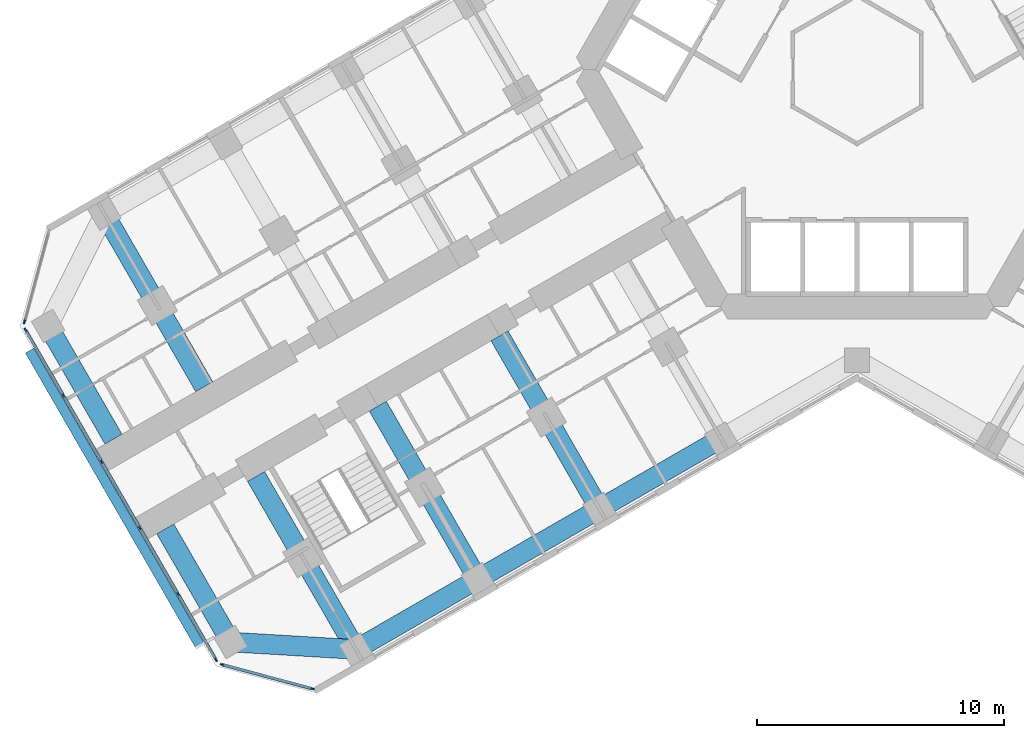
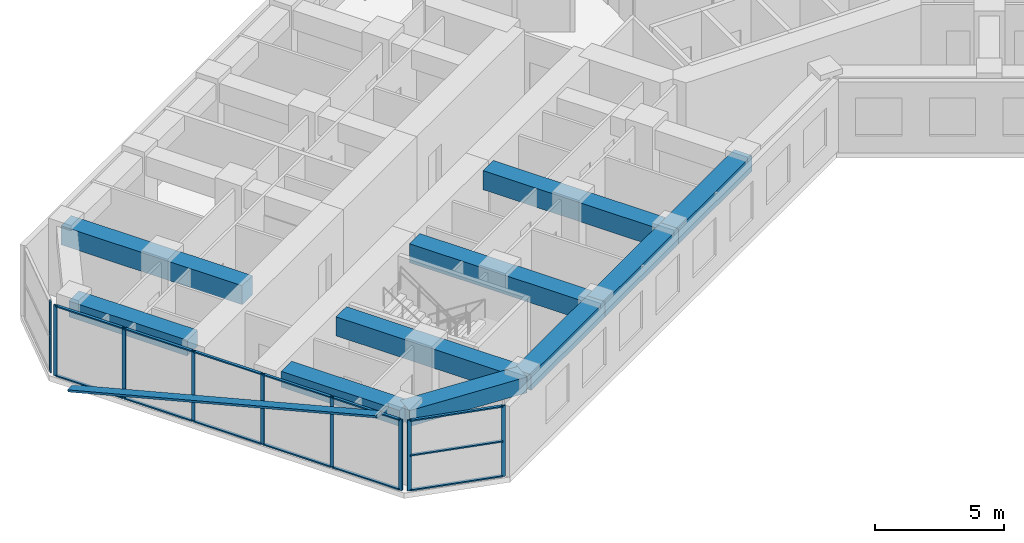
# One storey, part 2 of 21: 23 members, 10 beams, 3 elements without a shape of their own.
"""IFC4 building model written with IfcOpenShell, lengths in metres."""

from ifc_helpers import new_model, si_unit, direction, frame, origin, origin_2d, place, context, subcontext, project, spatial, rectangle, extrude, material, material_profile, profile_set, type_object, element, aggregate, save


model = new_model("IFC4")

# Units and contexts
model_context = context("Model", 3, precision=1e-05, world=origin(), true_north=direction((0.0, 1.0)))
body_context = subcontext(model_context, "Body", "Model", "MODEL_VIEW")
ifc_project = project(units=[si_unit("LENGTHUNIT", "METRE"), si_unit("AREAUNIT", "SQUARE_METRE"), si_unit("VOLUMEUNIT", "CUBIC_METRE"), si_unit("PLANEANGLEUNIT", "RADIAN"), si_unit("MASSUNIT", "GRAM", prefix="KILO")], contexts=[model_context])

# Site, building, storey
site_placement = place(None, origin())
site = spatial("IfcSite", under=ifc_project, at=site_placement, CompositionType="ELEMENT")
building_placement = place(site_placement, origin())
building = spatial("IfcBuilding", under=site, at=building_placement, Name="Kosmar Iwan School Tower", CompositionType="ELEMENT")
storey_placement = place(building_placement, frame((0.0, 0.0, 68.199951171875)))
storey = spatial("IfcBuildingStorey", under=building, at=storey_placement, Name="L16", CompositionType="ELEMENT", Elevation=68.199951171875)

# Member
ifc_material_1 = material(Name="Black anodised aluminium", Category="aluminium")
ifc_material_profile_1 = material_profile(ifc_material_1, rectangle(XDim=0.10009765625, YDim=0.39990234375, at=origin_2d()), Name="FIN 100x400")
ifc_profile_set_1 = profile_set([ifc_material_profile_1], Name="Black anodised aluminium")
member_type_1 = type_object("IfcMemberType", Name="Diagonal fin 100x400", PredefinedType="USERDEFINED", material=ifc_profile_set_1)
member_1_placement = place(storey_placement, frame((-33.54345703125, -11.40087890625, -0.14990234375), z_axis=(0.483795538458, -0.837973939202, 0.252470897702), x_axis=(-0.126233699175, 0.218647221293, 0.967604488318)))
element("IfcMember", 1, at=member_1_placement, inside=storey, type_object=member_type_1, Name="Diagonal fin L16-F13", ObjectType="FIN", PredefinedType="USERDEFINED", context=body_context, shape_type="SweptSolid", body=[
    extrude(rectangle(XDim=0.10009765625, YDim=0.39990234375, at=origin_2d()), origin(), (0.0, 0.0, 1.0), 14.258544921875),
])

# Curtain wall, member
ifc_material_2 = material(Name="Dark glass in black aluminium frame", Category="aluminium")
curtain_wall_type_1 = type_object("IfcCurtainWallType", Name="Chamfer curtain wall dark glass", PredefinedType="USERDEFINED", material=ifc_material_2)
curtain_wall_1_placement = place(storey_placement, origin())
curtain_wall_1 = element("IfcCurtainWall", 2, at=curtain_wall_1_placement, inside=storey, type_object=curtain_wall_type_1, Name="Curtain wall L16-F12", ObjectType="FACETED CURTAIN WALL", PredefinedType="USERDEFINED")
ifc_material_3 = material(Name="Black anodised aluminium", Category="aluminium")
ifc_material_profile_2 = material_profile(ifc_material_3, rectangle(XDim=0.06005859375, YDim=0.159912109375, at=origin_2d()), Name="MULLION 60x160")
ifc_profile_set_2 = profile_set([ifc_material_profile_2], Name="Black anodised aluminium")
member_type_2 = type_object("IfcMemberType", Name="Mullion 60x160", PredefinedType="MULLION", material=ifc_profile_set_2)
member_2_placement = place(storey_placement, frame((-33.7587890625, -10.2236328125, 0.0), z_axis=(0.0, 0.0, 1.0), x_axis=(0.965925875495, -0.258818861462, 0.0)))
member_2 = element("IfcMember", 3, at=member_2_placement, type_object=member_type_2, Name="CW2 mullion 2", PredefinedType="MULLION", context=body_context, shape_type="SweptSolid", body=[
    extrude(rectangle(XDim=0.06005859375, YDim=0.159912109375, at=origin_2d()), origin(), (0.0, 0.0, 1.0), 3.35009765625),
])
aggregate(curtain_wall_1, [member_2])

# Curtain wall, members
ifc_material_4 = material(Name="Dark glass in black aluminium frame", Category="aluminium")
curtain_wall_type_2 = type_object("IfcCurtainWallType", Name="Tower curtain wall dark glass", PredefinedType="USERDEFINED", material=ifc_material_4)
curtain_wall_2_placement = place(storey_placement, origin())
curtain_wall_2 = element("IfcCurtainWall", 4, at=curtain_wall_2_placement, inside=storey, type_object=curtain_wall_type_2, Name="Curtain wall L16-F13", ObjectType="UNITISED CURTAIN WALL", PredefinedType="USERDEFINED")
member_3_placement = place(storey_placement, frame((-33.71533203125, -10.55322265625, 0.0), z_axis=(0.0, 0.0, 1.0), x_axis=(0.866025405329, 0.499999997325, 0.0)))
member_3 = element("IfcMember", 5, at=member_3_placement, type_object=member_type_2, Name="CW1 mullion 1", PredefinedType="MULLION", context=body_context, shape_type="SweptSolid", body=[
    extrude(rectangle(XDim=0.06005859375, YDim=0.159912109375, at=origin_2d()), origin(), (0.0, 0.0, 1.0), 3.35009765625),
])
member_4_placement = place(storey_placement, frame((-32.1806640625, -13.21142578125, 0.0), z_axis=(0.0, 0.0, 1.0), x_axis=(0.866025405329, 0.499999997325, 0.0)))
member_4 = element("IfcMember", 6, at=member_4_placement, type_object=member_type_2, Name="CW1 mullion 2", PredefinedType="MULLION", context=body_context, shape_type="SweptSolid", body=[
    extrude(rectangle(XDim=0.06005859375, YDim=0.159912109375, at=origin_2d()), origin(), (0.0, 0.0, 1.0), 3.35009765625),
])
member_5_placement = place(storey_placement, frame((-30.631103515625, -15.8955078125, 0.0), z_axis=(0.0, 0.0, 1.0), x_axis=(0.866025405329, 0.499999997325, 0.0)))
member_5 = element("IfcMember", 7, at=member_5_placement, type_object=member_type_2, Name="CW1 mullion 3", PredefinedType="MULLION", context=body_context, shape_type="SweptSolid", body=[
    extrude(rectangle(XDim=0.06005859375, YDim=0.159912109375, at=origin_2d()), origin(), (0.0, 0.0, 1.0), 3.35009765625),
])
member_6_placement = place(storey_placement, frame((-29.081298828125, -18.57958984375, 0.0), z_axis=(0.0, 0.0, 1.0), x_axis=(0.866025405329, 0.499999997325, 0.0)))
member_6 = element("IfcMember", 8, at=member_6_placement, type_object=member_type_2, Name="CW1 mullion 4", PredefinedType="MULLION", context=body_context, shape_type="SweptSolid", body=[
    extrude(rectangle(XDim=0.06005859375, YDim=0.159912109375, at=origin_2d()), origin(), (0.0, 0.0, 1.0), 3.35009765625),
])
member_7_placement = place(storey_placement, frame((-27.53173828125, -21.263671875, 0.0), z_axis=(0.0, 0.0, 1.0), x_axis=(0.866025405329, 0.499999997325, 0.0)))
member_7 = element("IfcMember", 9, at=member_7_placement, type_object=member_type_2, Name="CW1 mullion 5", PredefinedType="MULLION", context=body_context, shape_type="SweptSolid", body=[
    extrude(rectangle(XDim=0.06005859375, YDim=0.159912109375, at=origin_2d()), origin(), (0.0, 0.0, 1.0), 3.35009765625),
])
member_8_placement = place(storey_placement, frame((-25.9970703125, -23.921630859375, 0.0), z_axis=(0.0, 0.0, 1.0), x_axis=(0.866025405329, 0.499999997325, 0.0)))
member_8 = element("IfcMember", 10, at=member_8_placement, type_object=member_type_2, Name="CW1 mullion 6", PredefinedType="MULLION", context=body_context, shape_type="SweptSolid", body=[
    extrude(rectangle(XDim=0.06005859375, YDim=0.159912109375, at=origin_2d()), origin(), (0.0, 0.0, 1.0), 3.35009765625),
])

curtain_wall_3_placement = place(storey_placement, origin())
curtain_wall_3 = element("IfcCurtainWall", 11, at=curtain_wall_3_placement, inside=storey, type_object=curtain_wall_type_1, Name="Curtain wall L16-F14", ObjectType="FACETED CURTAIN WALL", PredefinedType="USERDEFINED")
member_9_placement = place(storey_placement, frame((-25.733154296875, -24.124267578125, 0.0), z_axis=(0.0, 0.0, 1.0), x_axis=(0.258818861462, 0.965925875495, 0.0)))
member_9 = element("IfcMember", 12, at=member_9_placement, type_object=member_type_2, Name="CW2 mullion 1", PredefinedType="MULLION", context=body_context, shape_type="SweptSolid", body=[
    extrude(rectangle(XDim=0.06005859375, YDim=0.159912109375, at=origin_2d()), origin(), (0.0, 0.0, 1.0), 3.35009765625),
])
member_10_placement = place(storey_placement, frame((-22.0830078125, -25.102294921875, 0.0), z_axis=(0.0, 0.0, 1.0), x_axis=(0.258818861462, 0.965925875495, 0.0)))
member_10 = element("IfcMember", 13, at=member_10_placement, type_object=member_type_2, Name="CW2 mullion 2", PredefinedType="MULLION", context=body_context, shape_type="SweptSolid", body=[
    extrude(rectangle(XDim=0.06005859375, YDim=0.159912109375, at=origin_2d()), origin(), (0.0, 0.0, 1.0), 3.35009765625),
])

# Beams
ifc_material_5 = material(Name="Concrete C50/60", Category="concrete")
ifc_material_profile_3 = material_profile(ifc_material_5, rectangle(XDim=0.800048828125, YDim=0.75, at=origin_2d()), Name="RC 800x750")
ifc_profile_set_3 = profile_set([ifc_material_profile_3], Name="Concrete C50/60")
beam_type_1 = type_object("IfcBeamType", Name="RC edge beam 800x750", PredefinedType="BEAM", material=ifc_profile_set_3)
beam_1_placement = place(storey_placement, frame((-5.5087890625, -14.95849609375, 2.97509765625), z_axis=(-0.866033658841, -0.49998570155, 0.0), x_axis=(0.49998570155, -0.866033658841, 0.0)))
element("IfcBeam", 14, at=beam_1_placement, inside=storey, type_object=beam_type_1, Name="Edge beam BL2", PredefinedType="BEAM", context=body_context, shape_type="SweptSolid", body=[
    extrude(rectangle(XDim=0.800048828125, YDim=0.75, at=origin_2d()), origin(), (0.0, 0.0, 1.0), 5.699951171875),
])
beam_2_placement = place(storey_placement, frame((-10.445068359375, -17.808349609375, 2.97509765625), z_axis=(-0.866025820012, -0.499999279071, 0.0), x_axis=(0.499999279071, -0.866025820012, 0.0)))
element("IfcBeam", 15, at=beam_2_placement, inside=storey, type_object=beam_type_1, Name="Edge beam BL3", PredefinedType="BEAM", context=body_context, shape_type="SweptSolid", body=[
    extrude(rectangle(XDim=0.800048828125, YDim=0.75, at=origin_2d()), origin(), (0.0, 0.0, 1.0), 5.7001953125),
])
beam_3_placement = place(storey_placement, frame((-15.381591796875, -20.658447265625, 2.97509765625), z_axis=(-0.866015111908, -0.50001782563, 0.0), x_axis=(0.50001782563, -0.866015111908, 0.0)))
element("IfcBeam", 16, at=beam_3_placement, inside=storey, type_object=beam_type_1, Name="Edge beam BL4", PredefinedType="BEAM", context=body_context, shape_type="SweptSolid", body=[
    extrude(rectangle(XDim=0.800048828125, YDim=0.75, at=origin_2d()), origin(), (0.0, 0.0, 1.0), 5.699951171875),
])
ifc_material_6 = material(Name="Concrete C50/60", Category="concrete")
ifc_material_profile_4 = material_profile(ifc_material_6, rectangle(XDim=0.800048828125, YDim=0.75, at=origin_2d()), Name="RC 800x750")
ifc_profile_set_4 = profile_set([ifc_material_profile_4], Name="Concrete C50/60")
beam_type_2 = type_object("IfcBeamType", Name="RC tip beam 800x750", PredefinedType="BEAM", material=ifc_profile_set_4)
beam_4_placement = place(storey_placement, frame((-20.31787109375, -23.508544921875, 2.97509765625), z_axis=(-0.998260616478, 0.058955420358, 0.0), x_axis=(-0.058955420358, -0.998260616478, 0.0)))
element("IfcBeam", 17, at=beam_4_placement, inside=storey, type_object=beam_type_2, Name="Tip beam BL", PredefinedType="BEAM", context=body_context, shape_type="SweptSolid", body=[
    extrude(rectangle(XDim=0.800048828125, YDim=0.75, at=origin_2d()), origin(), (0.0, 0.0, 1.0), 5.08935546875),
])
beam_5_placement = place(storey_placement, frame((-25.3984375, -23.20849609375, 2.97509765625), z_axis=(-0.499993606316, 0.866029095148, 0.0), x_axis=(-0.866029095148, -0.499993606316, 0.0)))
element("IfcBeam", 18, at=beam_5_placement, inside=storey, type_object=beam_type_2, Name="Tip beam BL to corridor wall", PredefinedType="BEAM", context=body_context, shape_type="SweptSolid", body=[
    extrude(rectangle(XDim=0.800048828125, YDim=0.75, at=origin_2d()), origin(), (0.0, 0.0, 1.0), 5.2998046875),
])
beam_6_placement = place(storey_placement, frame((-32.79833984375, -10.391357421875, 2.97509765625), z_axis=(0.499973660256, -0.866040610509, 0.0), x_axis=(0.866040610509, 0.499973660256, 0.0)))
element("IfcBeam", 19, at=beam_6_placement, inside=storey, type_object=beam_type_2, Name="Tip beam BR to corridor wall", PredefinedType="BEAM", context=body_context, shape_type="SweptSolid", body=[
    extrude(rectangle(XDim=0.800048828125, YDim=0.75, at=origin_2d()), origin(), (0.0, 0.0, 1.0), 5.300048828125),
])
ifc_material_7 = material(Name="Concrete C50/60", Category="concrete")
ifc_material_profile_5 = material_profile(ifc_material_7, rectangle(XDim=0.800048828125, YDim=0.89990234375, at=origin_2d()), Name="RC 800x900")
ifc_profile_set_5 = profile_set([ifc_material_profile_5], Name="Concrete C50/60")
beam_type_3 = type_object("IfcBeamType", Name="RC transverse beam 800x900", PredefinedType="BEAM", material=ifc_profile_set_5)
beam_7_placement = place(storey_placement, frame((-10.445068359375, -17.808349609375, 2.900146484375), z_axis=(-0.500012932018, 0.866017937352, 0.0), x_axis=(-0.866017937352, -0.500012932018, 0.0)))
element("IfcBeam", 20, at=beam_7_placement, inside=storey, type_object=beam_type_3, Name="Transverse beam BL2", PredefinedType="BEAM", context=body_context, shape_type="SweptSolid", body=[
    extrude(rectangle(XDim=0.800048828125, YDim=0.89990234375, at=origin_2d()), origin(), (0.0, 0.0, 1.0), 8.099853515625),
])
for number, where, z_axis, x_axis, name in (
    (21, (-15.381591796875, -20.658447265625, 2.900146484375), (-0.499977274689, 0.866038523851, 0.0), (-0.866038523851, -0.499977274689, 0.0), "Transverse beam BL3"),
    (22, (-20.31787109375, -23.508544921875, 2.900146484375), (-0.499999880539, 0.866025472755, 0.0), (-0.866025472755, -0.499999880539, 0.0), "Transverse beam BL4"),
    (23, (-30.517822265625, -5.841552734375, 2.900146484375), (0.499999880539, -0.866025472755, 0.0), (0.866025472755, 0.499999880539, 0.0), "Transverse beam BR4"),
):
    element("IfcBeam", number, at=place(storey_placement, frame(where, z_axis=z_axis, x_axis=x_axis)), inside=storey, type_object=beam_type_3, Name=name, PredefinedType="BEAM", context=body_context, shape_type="SweptSolid", body=[
        extrude(rectangle(XDim=0.800048828125, YDim=0.89990234375, at=origin_2d()), origin(), (0.0, 0.0, 1.0), 8.10009765625),
    ])

# Member
ifc_material_8 = material(Name="Black anodised aluminium", Category="aluminium")
ifc_material_profile_6 = material_profile(ifc_material_8, rectangle(XDim=0.1201171875, YDim=0.06005859375, at=origin_2d()), Name="TRANSOM 60x120")
ifc_profile_set_6 = profile_set([ifc_material_profile_6], Name="Black anodised aluminium")
member_type_3 = type_object("IfcMemberType", Name="Transom 60x120", PredefinedType="USERDEFINED", material=ifc_profile_set_6)
member_11_placement = place(storey_placement, frame((-33.700439453125, -10.579345703125, 0.030029296875), z_axis=(0.500022102064, -0.866012642776, 0.0), x_axis=(0.866012642776, 0.500022102064, 0.0)))
member_11 = element("IfcMember", 24, at=member_11_placement, type_object=member_type_3, Name="CW1 transom 1.1", ObjectType="TRANSOM", PredefinedType="USERDEFINED", context=body_context, shape_type="SweptSolid", body=[
    extrude(rectangle(XDim=0.1201171875, YDim=0.06005859375, at=origin_2d()), origin(), (0.0, 0.0, 1.0), 3.009033203125),
])

member_12_placement = place(storey_placement, frame((-33.700439453125, -10.579345703125, 3.320068359375), z_axis=(0.500022102064, -0.866012642776, 0.0), x_axis=(0.866012642776, 0.500022102064, 0.0)))
member_12 = element("IfcMember", 25, at=member_12_placement, type_object=member_type_3, Name="CW1 transom 1.2", ObjectType="TRANSOM", PredefinedType="USERDEFINED", context=body_context, shape_type="SweptSolid", body=[
    extrude(rectangle(XDim=0.1201171875, YDim=0.06005859375, at=origin_2d()), origin(), (0.0, 0.0, 1.0), 3.009033203125),
])

member_13_placement = place(storey_placement, frame((-32.165771484375, -13.2373046875, 0.030029296875), z_axis=(0.500035348339, -0.866004994449, 0.0), x_axis=(0.866004994449, 0.500035348339, 0.0)))
member_13 = element("IfcMember", 26, at=member_13_placement, type_object=member_type_3, Name="CW1 transom 2.1", ObjectType="TRANSOM", PredefinedType="USERDEFINED", context=body_context, shape_type="SweptSolid", body=[
    extrude(rectangle(XDim=0.1201171875, YDim=0.06005859375, at=origin_2d()), origin(), (0.0, 0.0, 1.0), 3.039306640625),
])

member_14_placement = place(storey_placement, frame((-32.165771484375, -13.2373046875, 3.320068359375), z_axis=(0.500035348339, -0.866004994449, 0.0), x_axis=(0.866004994449, 0.500035348339, 0.0)))
member_14 = element("IfcMember", 27, at=member_14_placement, type_object=member_type_3, Name="CW1 transom 2.2", ObjectType="TRANSOM", PredefinedType="USERDEFINED", context=body_context, shape_type="SweptSolid", body=[
    extrude(rectangle(XDim=0.1201171875, YDim=0.06005859375, at=origin_2d()), origin(), (0.0, 0.0, 1.0), 3.039306640625),
])

member_15_placement = place(storey_placement, frame((-30.615966796875, -15.92138671875, 0.030029296875), z_axis=(0.499975102327, -0.866039777986, 0.0), x_axis=(0.866039777986, 0.499975102327, 0.0)))
member_15 = element("IfcMember", 28, at=member_15_placement, type_object=member_type_3, Name="CW1 transom 3.1", ObjectType="TRANSOM", PredefinedType="USERDEFINED", context=body_context, shape_type="SweptSolid", body=[
    extrude(rectangle(XDim=0.1201171875, YDim=0.06005859375, at=origin_2d()), origin(), (0.0, 0.0, 1.0), 3.039306640625),
])

member_16_placement = place(storey_placement, frame((-30.615966796875, -15.92138671875, 3.320068359375), z_axis=(0.499975102327, -0.866039777986, 0.0), x_axis=(0.866039777986, 0.499975102327, 0.0)))
member_16 = element("IfcMember", 29, at=member_16_placement, type_object=member_type_3, Name="CW1 transom 3.2", ObjectType="TRANSOM", PredefinedType="USERDEFINED", context=body_context, shape_type="SweptSolid", body=[
    extrude(rectangle(XDim=0.1201171875, YDim=0.06005859375, at=origin_2d()), origin(), (0.0, 0.0, 1.0), 3.039306640625),
])

member_17_placement = place(storey_placement, frame((-29.06640625, -18.60546875, 0.030029296875), z_axis=(0.499975102327, -0.866039777986, 0.0), x_axis=(0.866039777986, 0.499975102327, 0.0)))
member_17 = element("IfcMember", 30, at=member_17_placement, type_object=member_type_3, Name="CW1 transom 4.1", ObjectType="TRANSOM", PredefinedType="USERDEFINED", context=body_context, shape_type="SweptSolid", body=[
    extrude(rectangle(XDim=0.1201171875, YDim=0.06005859375, at=origin_2d()), origin(), (0.0, 0.0, 1.0), 3.039306640625),
])

member_18_placement = place(storey_placement, frame((-29.06640625, -18.60546875, 3.320068359375), z_axis=(0.499975102327, -0.866039777986, 0.0), x_axis=(0.866039777986, 0.499975102327, 0.0)))
member_18 = element("IfcMember", 31, at=member_18_placement, type_object=member_type_3, Name="CW1 transom 4.2", ObjectType="TRANSOM", PredefinedType="USERDEFINED", context=body_context, shape_type="SweptSolid", body=[
    extrude(rectangle(XDim=0.1201171875, YDim=0.06005859375, at=origin_2d()), origin(), (0.0, 0.0, 1.0), 3.039306640625),
])

member_19_placement = place(storey_placement, frame((-27.516845703125, -21.28955078125, 0.030029296875), z_axis=(0.499986971506, -0.866032925658, 0.0), x_axis=(0.866032925658, 0.499986971506, 0.0)))
member_19 = element("IfcMember", 32, at=member_19_placement, type_object=member_type_3, Name="CW1 transom 5.1", ObjectType="TRANSOM", PredefinedType="USERDEFINED", context=body_context, shape_type="SweptSolid", body=[
    extrude(rectangle(XDim=0.1201171875, YDim=0.06005859375, at=origin_2d()), origin(), (0.0, 0.0, 1.0), 3.00927734375),
])

member_20_placement = place(storey_placement, frame((-27.516845703125, -21.28955078125, 3.320068359375), z_axis=(0.499986971506, -0.866032925658, 0.0), x_axis=(0.866032925658, 0.499986971506, 0.0)))
member_20 = element("IfcMember", 33, at=member_20_placement, type_object=member_type_3, Name="CW1 transom 5.2", ObjectType="TRANSOM", PredefinedType="USERDEFINED", context=body_context, shape_type="SweptSolid", body=[
    extrude(rectangle(XDim=0.1201171875, YDim=0.06005859375, at=origin_2d()), origin(), (0.0, 0.0, 1.0), 3.00927734375),
])

aggregate(curtain_wall_2, [member_3, member_4, member_5, member_6, member_7, member_8, member_11, member_12, member_13, member_14, member_15, member_16, member_17, member_18, member_19, member_20])

member_21_placement = place(storey_placement, frame((-25.704345703125, -24.1318359375, 0.030029296875), z_axis=(0.965923731726, -0.258826861991, 0.0), x_axis=(0.258826861991, 0.965923731726, 0.0)))
member_21 = element("IfcMember", 34, at=member_21_placement, type_object=member_type_3, Name="CW2 transom 1.1", ObjectType="TRANSOM", PredefinedType="USERDEFINED", context=body_context, shape_type="SweptSolid", body=[
    extrude(rectangle(XDim=0.1201171875, YDim=0.06005859375, at=origin_2d()), origin(), (0.0, 0.0, 1.0), 3.71923828125),
])

member_22_placement = place(storey_placement, frame((-25.704345703125, -24.1318359375, 1.675048828125), z_axis=(0.965923731726, -0.258826861991, 0.0), x_axis=(0.258826861991, 0.965923731726, 0.0)))
member_22 = element("IfcMember", 35, at=member_22_placement, type_object=member_type_3, Name="CW2 transom 1.2", ObjectType="TRANSOM", PredefinedType="USERDEFINED", context=body_context, shape_type="SweptSolid", body=[
    extrude(rectangle(XDim=0.1201171875, YDim=0.06005859375, at=origin_2d()), origin(), (0.0, 0.0, 1.0), 3.71923828125),
])

member_23_placement = place(storey_placement, frame((-25.704345703125, -24.1318359375, 3.320068359375), z_axis=(0.965923731726, -0.258826861991, 0.0), x_axis=(0.258826861991, 0.965923731726, 0.0)))
member_23 = element("IfcMember", 36, at=member_23_placement, type_object=member_type_3, Name="CW2 transom 1.3", ObjectType="TRANSOM", PredefinedType="USERDEFINED", context=body_context, shape_type="SweptSolid", body=[
    extrude(rectangle(XDim=0.1201171875, YDim=0.06005859375, at=origin_2d()), origin(), (0.0, 0.0, 1.0), 3.71923828125),
])

aggregate(curtain_wall_3, [member_9, member_10, member_21, member_22, member_23])

save(model, "model.ifc")
